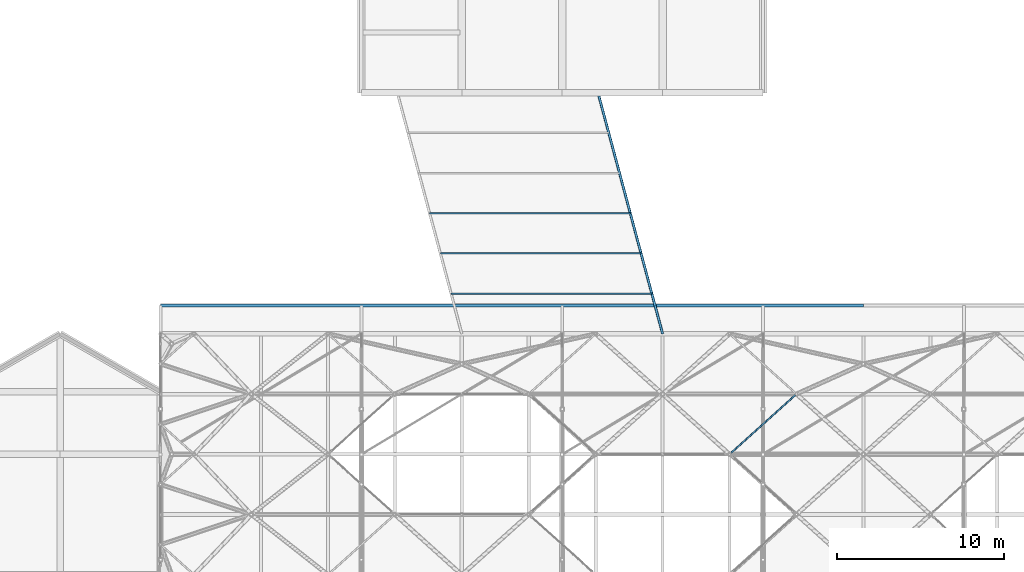
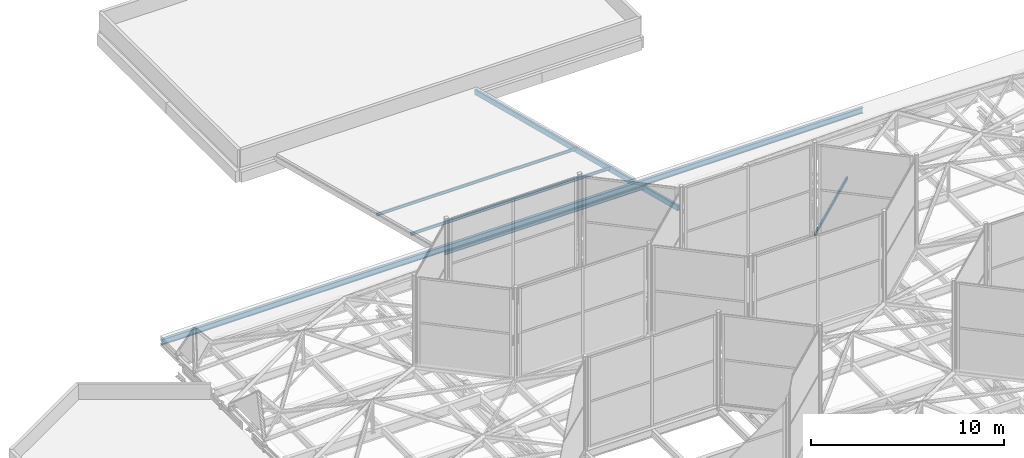
# One storey, part 109 of 239: 3 beams, 3 members.
"""IFC4 building model written with IfcOpenShell, lengths in metres."""

from ifc_helpers import new_model, si_unit, direction, frame, origin, origin_2d, place, context, subcontext, project, spatial, hollow_rectangle, i_section, extrude, material, material_profile, profile_set, type_object, element, save


model = new_model("IFC4")

# Units and contexts
model_context = context("Model", 3, precision=1e-05, world=origin(), true_north=direction((0.0, 1.0)))
body_context = subcontext(model_context, "Body", "Model", "MODEL_VIEW")
ifc_project = project(units=[si_unit("LENGTHUNIT", "METRE"), si_unit("AREAUNIT", "SQUARE_METRE"), si_unit("VOLUMEUNIT", "CUBIC_METRE"), si_unit("PLANEANGLEUNIT", "RADIAN"), si_unit("MASSUNIT", "GRAM", prefix="KILO")], contexts=[model_context])

# Site, building, storey
site_placement = place(None, origin())
site = spatial("IfcSite", under=ifc_project, at=site_placement, CompositionType="ELEMENT")
building_placement = place(site_placement, origin())
building = spatial("IfcBuilding", under=site, at=building_placement, Name="Dunvalen Ferry Terminal", CompositionType="ELEMENT")
storey_placement = place(building_placement, frame((0.0, 0.0, 9.840087890625)))
storey = spatial("IfcBuildingStorey", under=building, at=storey_placement, Name="L02", CompositionType="ELEMENT", Elevation=9.840087890625)

# Beams
ifc_material = material(Name="Steel S355", Category="steel")
ifc_material_profile_1 = material_profile(ifc_material, hollow_rectangle(XDim=0.10009765625, YDim=0.199951171875, WallThickness=0.008056640625, InnerFilletRadius=0.008056640625, OuterFilletRadius=0.01611328125, at=origin_2d()), Name="Steel S355")
ifc_profile_set_1 = profile_set([ifc_material_profile_1], Name="Steel S355")
beam_type_1 = type_object("IfcBeamType", Name="STR-BM-RHS200", PredefinedType="BEAM", material=ifc_profile_set_1)
beam_1_placement = place(storey_placement, frame((46.0, 79.199951171875, 1.099853515625), z_axis=(0.743285123004, 0.668974757313, 0.0), x_axis=(-0.668974757313, 0.743285123004, 0.0)))
element("IfcBeam", 1, at=beam_1_placement, inside=storey, type_object=beam_type_1, Name="HEX-22 Hexagonal Rim Beam 3", PredefinedType="BEAM", context=body_context, shape_type="SweptSolid", body=[
    extrude(hollow_rectangle(XDim=0.10009765625, YDim=0.199951171875, WallThickness=0.008056640625, InnerFilletRadius=0.008056640625, OuterFilletRadius=0.01611328125, at=origin_2d()), origin(), (0.0, 0.0, 1.0), 5.381591796875),
])
ifc_material_profile_2 = material_profile(ifc_material, hollow_rectangle(XDim=0.14990234375, YDim=0.35009765625, WallThickness=0.010009765625, InnerFilletRadius=0.010009765625, OuterFilletRadius=0.02001953125, at=origin_2d()), Name="Steel S355")
ifc_profile_set_2 = profile_set([ifc_material_profile_2], Name="Steel S355")
beam_type_2 = type_object("IfcBeamType", Name="STR-BM-RHS350", PredefinedType="BEAM", material=ifc_profile_set_2)
beam_2_placement = place(storey_placement, frame((42.0, 86.39990234375, -0.18017578125), z_axis=(-0.258812211902, 0.965927657214, 0.0), x_axis=(-0.965927657214, -0.258812211902, 0.0)))
element("IfcBeam", 2, at=beam_2_placement, inside=storey, type_object=beam_type_2, Name="Boarding Bridge 1 Warren Top Chord 2", PredefinedType="BEAM", context=body_context, shape_type="SweptSolid", body=[
    extrude(hollow_rectangle(XDim=0.14990234375, YDim=0.35009765625, WallThickness=0.010009765625, InnerFilletRadius=0.010009765625, OuterFilletRadius=0.02001953125, at=origin_2d()), origin(), (0.0, 0.0, 1.0), 14.908203125),
])
ifc_material_profile_3 = material_profile(ifc_material, i_section(OverallWidth=0.17138671875, OverallDepth=0.35498046875, WebThickness=0.00732421875, FlangeThickness=0.011474609375, FilletRadius=0.01025390625, at=origin_2d()), Name="Steel S355")
ifc_profile_set_3 = profile_set([ifc_material_profile_3], Name="Steel S355")
beam_type_3 = type_object("IfcBeamType", Name="STR-BM-UKB356", PredefinedType="JOIST", material=ifc_profile_set_3)
beam_3_placement = place(storey_placement, frame((12.0, 88.10009765625, 0.81982421875), z_axis=(1.0, 0.0, 0.0), x_axis=(0.0, 1.0, 0.0)))
element("IfcBeam", 3, at=beam_3_placement, inside=storey, type_object=beam_type_3, Name="Departure Hall North Eave West Fascia Beam", PredefinedType="JOIST", context=body_context, shape_type="SweptSolid", body=[
    extrude(i_section(OverallWidth=0.17138671875, OverallDepth=0.35498046875, WebThickness=0.00732421875, FlangeThickness=0.011474609375, FilletRadius=0.01025390625, at=origin_2d()), origin(), (0.0, 0.0, 1.0), 42.0),
])

# Members
ifc_material_profile_4 = material_profile(ifc_material, i_section(OverallWidth=0.091064453125, OverallDepth=0.179931640625, WebThickness=0.00537109375, FlangeThickness=0.008056640625, FilletRadius=0.009033203125, at=origin_2d()), Name="Steel S355")
ifc_profile_set_4 = profile_set([ifc_material_profile_4], Name="Steel S355")
member_type = type_object("IfcMemberType", Name="STR-MB-IPE180", PredefinedType="PURLIN", material=ifc_profile_set_4)
for number, where, z_axis, x_axis, name in (
    (4, (29.35693359375, 88.800048828125, -0.090087890625), (1.0, 0.0, 0.0), (0.0, 1.0, 0.0), "Boarding Bridge 1 Roof Purlin 1"),
    (5, (28.7138671875, 91.199951171875, -0.090087890625), (1.0, 0.0, 0.0), (0.0, 1.0, 0.0), "Boarding Bridge 1 Roof Purlin 2"),
    (6, (28.07080078125, 93.60009765625, -0.090087890625), (1.0, 0.0, 0.0), (0.0, 1.0, 0.0), "Boarding Bridge 1 Roof Purlin 3"),
):
    element("IfcMember", number, at=place(storey_placement, frame(where, z_axis=z_axis, x_axis=x_axis)), inside=storey, type_object=member_type, Name=name, PredefinedType="PURLIN", context=body_context, shape_type="SweptSolid", body=[
        extrude(i_section(OverallWidth=0.091064453125, OverallDepth=0.179931640625, WebThickness=0.00537109375, FlangeThickness=0.008056640625, FilletRadius=0.009033203125, at=origin_2d()), origin(), (0.0, 0.0, 1.0), 12.0),
    ])

save(model, "model.ifc")
